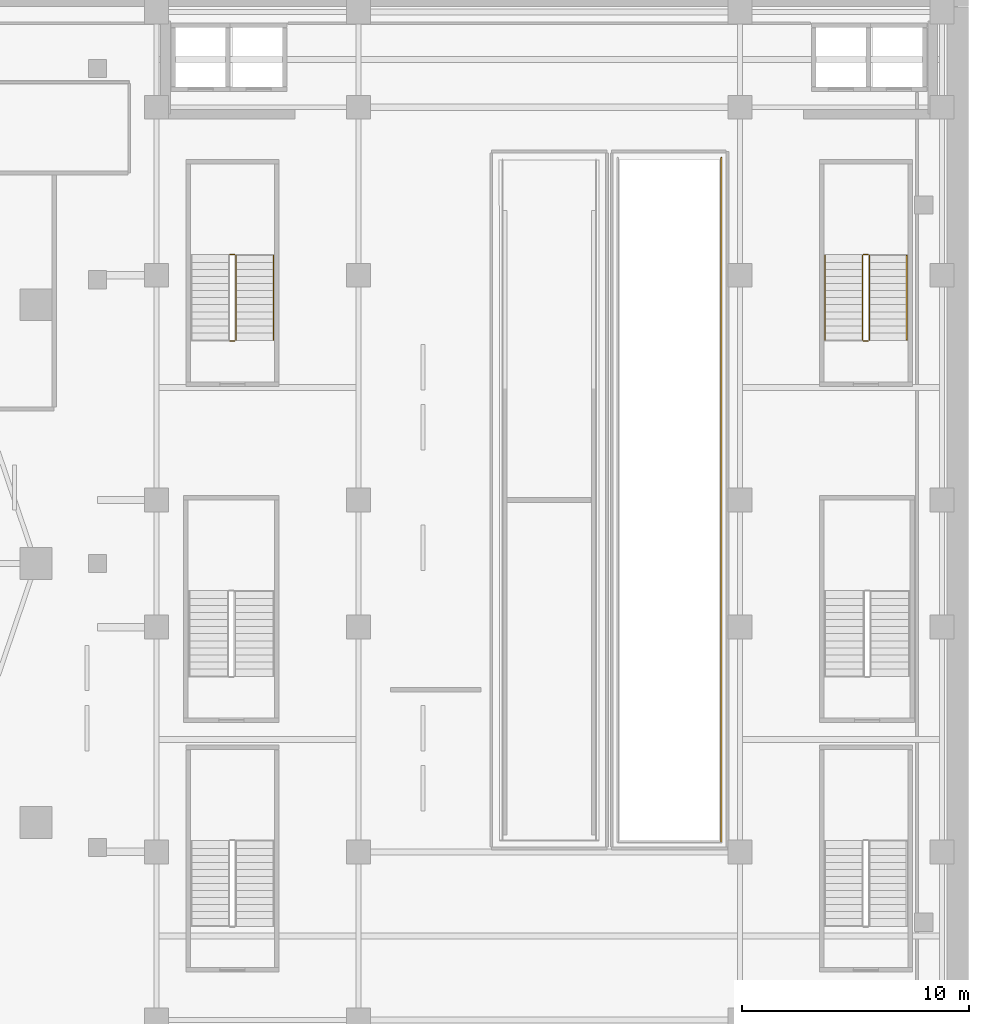
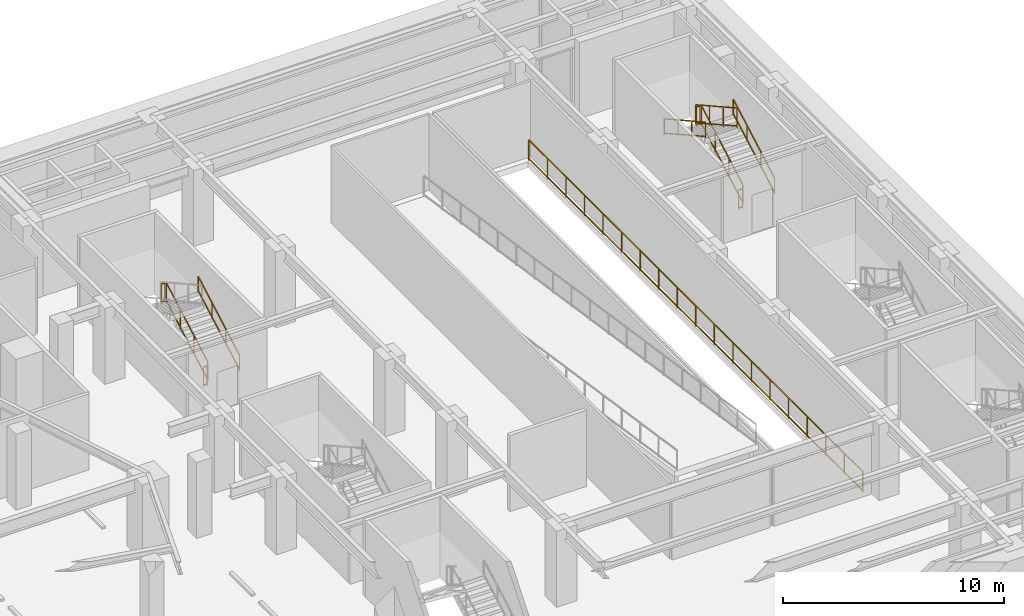
# One storey, part 16 of 16: 11 railings.
"""IFC4 building model written with IfcOpenShell, lengths in metres."""

from ifc_helpers import new_model, si_unit, direction, frame, origin, origin_2d, place, context, subcontext, project, spatial, rectangle, extrude, material, type_object, element, save


model = new_model("IFC4")

# Units and contexts
model_context = context("Model", 3, precision=1e-05, world=origin(), true_north=direction((0.0, 1.0)))
body_context = subcontext(model_context, "Body", "Model", "MODEL_VIEW")
ifc_project = project(units=[si_unit("LENGTHUNIT", "METRE"), si_unit("AREAUNIT", "SQUARE_METRE"), si_unit("VOLUMEUNIT", "CUBIC_METRE"), si_unit("PLANEANGLEUNIT", "RADIAN"), si_unit("MASSUNIT", "GRAM", prefix="KILO")], contexts=[model_context])

# Site, building, storey
site_placement = place(None, origin())
site = spatial("IfcSite", under=ifc_project, at=site_placement, CompositionType="ELEMENT")
building_placement = place(site_placement, origin())
building = spatial("IfcBuilding", under=site, at=building_placement, Name="Kolvaren Gate Tower and Convention Centre", CompositionType="ELEMENT")
storey_placement = place(building_placement, frame((0.0, 0.0, -9.0)))
storey = spatial("IfcBuildingStorey", under=building, at=storey_placement, Name="B2", CompositionType="ELEMENT", Elevation=-9.0)

# Railings
ifc_material = material(Name="Brushed Stainless Steel Grade 316L", Category="steel")
railing_type_1 = type_object("IfcRailingType", Name="ARCH-RL-GUARD-1150", PredefinedType="GUARDRAIL", material=ifc_material)
railing_1_placement = place(storey_placement, frame((66.199951171875, 36.85009765625, 0.173095703125)))
element("IfcRailing", 1, at=railing_1_placement, inside=storey, type_object=railing_type_1, Name="B2 ST-C1 stair guard 1", PredefinedType="GUARDRAIL", context=body_context, shape_type="SweptSolid", body=[
    extrude(rectangle(XDim=0.048095703125, YDim=0.048095703125, at=origin_2d()), frame((0.0, 0.0, 1.076171875), z_axis=(0.0, 0.873133609054, 0.487480974747), x_axis=(-1.0, 0.0, 0.0)), (0.0, 0.0, 1.0), 4.260498046875),
    extrude(rectangle(XDim=0.048095703125, YDim=0.048095703125, at=origin_2d()), frame((0.0, 0.0, 0.083984375), z_axis=(0.0, 0.873133609054, 0.487480974747), x_axis=(-1.0, 0.0, 0.0)), (0.0, 0.0, 1.0), 4.260498046875),
    extrude(rectangle(XDim=0.0419921875, YDim=0.0419921875, at=origin_2d()), origin(), (0.0, 0.0, 1.0), 1.050048828125),
    extrude(rectangle(XDim=0.0419921875, YDim=0.0419921875, at=origin_2d()), frame((0.0, 3.719970703125, 2.076904296875)), (0.0, 0.0, 1.0), 1.050048828125),
    extrude(rectangle(XDim=0.0419921875, YDim=0.0419921875, at=origin_2d()), frame((0.0, 1.239990234375, 0.6923828125)), (0.0, 0.0, 1.0), 1.050048828125),
    extrude(rectangle(XDim=0.0419921875, YDim=0.0419921875, at=origin_2d()), frame((0.0, 2.47998046875, 1.384521484375)), (0.0, 0.0, 1.0), 1.050048828125),
])
for number, where, name in (
    (2, (66.14990234375, 40.6201171875, 2.25), "B2 ST-C1 stair guard 2"),
    (3, (66.14990234375, 36.800048828125, 0.0), "B2 ST-C1 stair guard 4"),
):
    element("IfcRailing", number, at=place(storey_placement, frame(where)), inside=storey, type_object=railing_type_1, Name=name, PredefinedType="GUARDRAIL", context=body_context, shape_type="SweptSolid", body=[
        extrude(rectangle(XDim=0.048095703125, YDim=0.048095703125, at=origin_2d()), frame((0.0, 0.0, 1.076171875), z_axis=(-1.0, 0.0, 0.0), x_axis=(0.0, -1.0, 0.0)), (0.0, 0.0, 1.0), 0.199951171875),
        extrude(rectangle(XDim=0.048095703125, YDim=0.048095703125, at=origin_2d()), frame((0.0, 0.0, 0.083984375), z_axis=(-1.0, 0.0, 0.0), x_axis=(0.0, -1.0, 0.0)), (0.0, 0.0, 1.0), 0.199951171875),
        extrude(rectangle(XDim=0.0419921875, YDim=0.0419921875, at=origin_2d()), origin(), (0.0, 0.0, 1.0), 1.050048828125),
        extrude(rectangle(XDim=0.0419921875, YDim=0.0419921875, at=origin_2d()), frame((-0.199951171875, 0.0, 0.0)), (0.0, 0.0, 1.0), 1.050048828125),
    ])
railing_2_placement = place(storey_placement, frame((94.10009765625, 36.85009765625, 0.173095703125)))
element("IfcRailing", 4, at=railing_2_placement, inside=storey, type_object=railing_type_1, Name="B2 ST-C3 stair guard 1", PredefinedType="GUARDRAIL", context=body_context, shape_type="SweptSolid", body=[
    extrude(rectangle(XDim=0.048095703125, YDim=0.048095703125, at=origin_2d()), frame((0.0, 0.0, 1.076171875), z_axis=(0.0, 0.873133609054, 0.487480974747), x_axis=(-1.0, 0.0, 0.0)), (0.0, 0.0, 1.0), 4.260498046875),
    extrude(rectangle(XDim=0.048095703125, YDim=0.048095703125, at=origin_2d()), frame((0.0, 0.0, 0.083984375), z_axis=(0.0, 0.873133609054, 0.487480974747), x_axis=(-1.0, 0.0, 0.0)), (0.0, 0.0, 1.0), 4.260498046875),
    extrude(rectangle(XDim=0.0419921875, YDim=0.0419921875, at=origin_2d()), origin(), (0.0, 0.0, 1.0), 1.050048828125),
    extrude(rectangle(XDim=0.0419921875, YDim=0.0419921875, at=origin_2d()), frame((0.0, 3.719970703125, 2.076904296875)), (0.0, 0.0, 1.0), 1.050048828125),
    extrude(rectangle(XDim=0.0419921875, YDim=0.0419921875, at=origin_2d()), frame((0.0, 1.239990234375, 0.6923828125)), (0.0, 0.0, 1.0), 1.050048828125),
    extrude(rectangle(XDim=0.0419921875, YDim=0.0419921875, at=origin_2d()), frame((0.0, 2.47998046875, 1.384521484375)), (0.0, 0.0, 1.0), 1.050048828125),
])
railing_3_placement = place(storey_placement, frame((94.050048828125, 40.6201171875, 2.25)))
element("IfcRailing", 5, at=railing_3_placement, inside=storey, type_object=railing_type_1, Name="B2 ST-C3 stair guard 2", PredefinedType="GUARDRAIL", context=body_context, shape_type="SweptSolid", body=[
    extrude(rectangle(XDim=0.048095703125, YDim=0.048095703125, at=origin_2d()), frame((0.0, 0.0, 1.076171875), z_axis=(-1.0, 0.0, 0.0), x_axis=(0.0, -1.0, 0.0)), (0.0, 0.0, 1.0), 0.199951171875),
    extrude(rectangle(XDim=0.048095703125, YDim=0.048095703125, at=origin_2d()), frame((0.0, 0.0, 0.083984375), z_axis=(-1.0, 0.0, 0.0), x_axis=(0.0, -1.0, 0.0)), (0.0, 0.0, 1.0), 0.199951171875),
    extrude(rectangle(XDim=0.0419921875, YDim=0.0419921875, at=origin_2d()), origin(), (0.0, 0.0, 1.0), 1.050048828125),
    extrude(rectangle(XDim=0.0419921875, YDim=0.0419921875, at=origin_2d()), frame((-0.199951171875, 0.0, 0.0)), (0.0, 0.0, 1.0), 1.050048828125),
])
railing_4_placement = place(storey_placement, frame((93.800048828125, 40.570068359375, 2.423095703125)))
element("IfcRailing", 6, at=railing_4_placement, inside=storey, type_object=railing_type_1, Name="B2 ST-C3 stair guard 3", PredefinedType="GUARDRAIL", context=body_context, shape_type="SweptSolid", body=[
    extrude(rectangle(XDim=0.048095703125, YDim=0.048095703125, at=origin_2d()), frame((0.0, 0.0, 1.076171875), z_axis=(0.0, -0.873133609054, 0.487480974747), x_axis=(1.0, 0.0, 0.0)), (0.0, 0.0, 1.0), 4.260498046875),
    extrude(rectangle(XDim=0.048095703125, YDim=0.048095703125, at=origin_2d()), frame((0.0, 0.0, 0.083984375), z_axis=(0.0, -0.873133609054, 0.487480974747), x_axis=(1.0, 0.0, 0.0)), (0.0, 0.0, 1.0), 4.260498046875),
    extrude(rectangle(XDim=0.0419921875, YDim=0.0419921875, at=origin_2d()), origin(), (0.0, 0.0, 1.0), 1.050048828125),
    extrude(rectangle(XDim=0.0419921875, YDim=0.0419921875, at=origin_2d()), frame((0.0, -3.719970703125, 2.076904296875)), (0.0, 0.0, 1.0), 1.050048828125),
    extrude(rectangle(XDim=0.0419921875, YDim=0.0419921875, at=origin_2d()), frame((0.0, -1.239990234375, 0.6923828125)), (0.0, 0.0, 1.0), 1.050048828125),
    extrude(rectangle(XDim=0.0419921875, YDim=0.0419921875, at=origin_2d()), frame((0.0, -2.47998046875, 1.384521484375)), (0.0, 0.0, 1.0), 1.050048828125),
])
railing_5_placement = place(storey_placement, frame((94.050048828125, 36.800048828125, 0.0)))
element("IfcRailing", 7, at=railing_5_placement, inside=storey, type_object=railing_type_1, Name="B2 ST-C3 stair guard 4", PredefinedType="GUARDRAIL", context=body_context, shape_type="SweptSolid", body=[
    extrude(rectangle(XDim=0.048095703125, YDim=0.048095703125, at=origin_2d()), frame((0.0, 0.0, 1.076171875), z_axis=(-1.0, 0.0, 0.0), x_axis=(0.0, -1.0, 0.0)), (0.0, 0.0, 1.0), 0.199951171875),
    extrude(rectangle(XDim=0.048095703125, YDim=0.048095703125, at=origin_2d()), frame((0.0, 0.0, 0.083984375), z_axis=(-1.0, 0.0, 0.0), x_axis=(0.0, -1.0, 0.0)), (0.0, 0.0, 1.0), 0.199951171875),
    extrude(rectangle(XDim=0.0419921875, YDim=0.0419921875, at=origin_2d()), origin(), (0.0, 0.0, 1.0), 1.050048828125),
    extrude(rectangle(XDim=0.0419921875, YDim=0.0419921875, at=origin_2d()), frame((-0.199951171875, 0.0, 0.0)), (0.0, 0.0, 1.0), 1.050048828125),
])
railing_6_placement = place(storey_placement, frame((87.580078125, 14.719970703125, 0.0)))
element("IfcRailing", 8, at=railing_6_placement, inside=storey, type_object=railing_type_1, Name="Basement B3 to B2 Car Park Vehicle Ramp Slab R3 Floor Opening Perimeter Guardrail 2", PredefinedType="GUARDRAIL", context=body_context, shape_type="SweptSolid", body=[
    extrude(rectangle(XDim=0.048095703125, YDim=0.048095703125, at=origin_2d()), frame((0.0, 0.0, 1.1259765625), z_axis=(0.0, 1.0, 0.0), x_axis=(-1.0, 0.0, 0.0)), (0.0, 0.0, 1.0), 30.159912109375),
    extrude(rectangle(XDim=0.048095703125, YDim=0.048095703125, at=origin_2d()), frame((0.0, 0.0, 0.083984375), z_axis=(0.0, 1.0, 0.0), x_axis=(-1.0, 0.0, 0.0)), (0.0, 0.0, 1.0), 30.159912109375),
    extrude(rectangle(XDim=0.0419921875, YDim=0.0419921875, at=origin_2d()), origin(), (0.0, 0.0, 1.0), 1.099853515625),
    extrude(rectangle(XDim=0.0419921875, YDim=0.0419921875, at=origin_2d()), frame((0.0, 30.159912109375, 0.0)), (0.0, 0.0, 1.0), 1.099853515625),
    extrude(rectangle(XDim=0.0419921875, YDim=0.0419921875, at=origin_2d()), frame((0.0, 1.675537109375, 0.0)), (0.0, 0.0, 1.0), 1.099853515625),
    extrude(rectangle(XDim=0.0419921875, YDim=0.0419921875, at=origin_2d()), frame((0.0, 3.35107421875, 0.0)), (0.0, 0.0, 1.0), 1.099853515625),
    extrude(rectangle(XDim=0.0419921875, YDim=0.0419921875, at=origin_2d()), frame((0.0, 5.026611328125, 0.0)), (0.0, 0.0, 1.0), 1.099853515625),
    extrude(rectangle(XDim=0.0419921875, YDim=0.0419921875, at=origin_2d()), frame((0.0, 6.7021484375, 0.0)), (0.0, 0.0, 1.0), 1.099853515625),
    extrude(rectangle(XDim=0.0419921875, YDim=0.0419921875, at=origin_2d()), frame((0.0, 8.377685546875, 0.0)), (0.0, 0.0, 1.0), 1.099853515625),
    extrude(rectangle(XDim=0.0419921875, YDim=0.0419921875, at=origin_2d()), frame((0.0, 10.05322265625, 0.0)), (0.0, 0.0, 1.0), 1.099853515625),
    extrude(rectangle(XDim=0.0419921875, YDim=0.0419921875, at=origin_2d()), frame((0.0, 11.728759765625, 0.0)), (0.0, 0.0, 1.0), 1.099853515625),
    extrude(rectangle(XDim=0.0419921875, YDim=0.0419921875, at=origin_2d()), frame((0.0, 13.404296875, 0.0)), (0.0, 0.0, 1.0), 1.099853515625),
    extrude(rectangle(XDim=0.0419921875, YDim=0.0419921875, at=origin_2d()), frame((0.0, 15.080078125, 0.0)), (0.0, 0.0, 1.0), 1.099853515625),
    extrude(rectangle(XDim=0.0419921875, YDim=0.0419921875, at=origin_2d()), frame((0.0, 16.755615234375, 0.0)), (0.0, 0.0, 1.0), 1.099853515625),
    extrude(rectangle(XDim=0.0419921875, YDim=0.0419921875, at=origin_2d()), frame((0.0, 18.43115234375, 0.0)), (0.0, 0.0, 1.0), 1.099853515625),
    extrude(rectangle(XDim=0.0419921875, YDim=0.0419921875, at=origin_2d()), frame((0.0, 20.106689453125, 0.0)), (0.0, 0.0, 1.0), 1.099853515625),
    extrude(rectangle(XDim=0.0419921875, YDim=0.0419921875, at=origin_2d()), frame((0.0, 21.7822265625, 0.0)), (0.0, 0.0, 1.0), 1.099853515625),
    extrude(rectangle(XDim=0.0419921875, YDim=0.0419921875, at=origin_2d()), frame((0.0, 23.457763671875, 0.0)), (0.0, 0.0, 1.0), 1.099853515625),
    extrude(rectangle(XDim=0.0419921875, YDim=0.0419921875, at=origin_2d()), frame((0.0, 25.13330078125, 0.0)), (0.0, 0.0, 1.0), 1.099853515625),
    extrude(rectangle(XDim=0.0419921875, YDim=0.0419921875, at=origin_2d()), frame((0.0, 26.808837890625, 0.0)), (0.0, 0.0, 1.0), 1.099853515625),
    extrude(rectangle(XDim=0.0419921875, YDim=0.0419921875, at=origin_2d()), frame((0.0, 28.484375, 0.0)), (0.0, 0.0, 1.0), 1.099853515625),
])
railing_type_2 = type_object("IfcRailingType", Name="ARCH-RL-HANDRAIL-920", PredefinedType="HANDRAIL", material=ifc_material)
for number, where, name in (
    (9, (67.85009765625, 36.85009765625, 0.173095703125), "B2 ST-C1 stair handrail 1"),
    (10, (95.75, 36.85009765625, 0.173095703125), "B2 ST-C3 stair handrail 1"),
):
    element("IfcRailing", number, at=place(storey_placement, frame(where)), inside=storey, type_object=railing_type_2, Name=name, PredefinedType="HANDRAIL", context=body_context, shape_type="SweptSolid", body=[
        extrude(rectangle(XDim=0.048095703125, YDim=0.048095703125, at=origin_2d()), frame((0.0, 0.0, 0.8759765625), z_axis=(0.0, 0.873133609054, 0.487480974747), x_axis=(-1.0, 0.0, 0.0)), (0.0, 0.0, 1.0), 4.260498046875),
        extrude(rectangle(XDim=0.048095703125, YDim=0.048095703125, at=origin_2d()), frame((0.0, 0.0, 0.083984375), z_axis=(0.0, 0.873133609054, 0.487480974747), x_axis=(-1.0, 0.0, 0.0)), (0.0, 0.0, 1.0), 4.260498046875),
        extrude(rectangle(XDim=0.0419921875, YDim=0.0419921875, at=origin_2d()), origin(), (0.0, 0.0, 1.0), 0.849853515625),
        extrude(rectangle(XDim=0.0419921875, YDim=0.0419921875, at=origin_2d()), frame((0.0, 3.719970703125, 2.076904296875)), (0.0, 0.0, 1.0), 0.849853515625),
        extrude(rectangle(XDim=0.0419921875, YDim=0.0419921875, at=origin_2d()), frame((0.0, 1.239990234375, 0.6923828125)), (0.0, 0.0, 1.0), 0.849853515625),
        extrude(rectangle(XDim=0.0419921875, YDim=0.0419921875, at=origin_2d()), frame((0.0, 2.47998046875, 1.384521484375)), (0.0, 0.0, 1.0), 0.849853515625),
    ])
railing_7_placement = place(storey_placement, frame((92.14990234375, 40.570068359375, 2.423095703125)))
element("IfcRailing", 11, at=railing_7_placement, inside=storey, type_object=railing_type_2, Name="B2 ST-C3 stair handrail 2", PredefinedType="HANDRAIL", context=body_context, shape_type="SweptSolid", body=[
    extrude(rectangle(XDim=0.048095703125, YDim=0.048095703125, at=origin_2d()), frame((0.0, 0.0, 0.8759765625), z_axis=(0.0, -0.873133609054, 0.487480974747), x_axis=(1.0, 0.0, 0.0)), (0.0, 0.0, 1.0), 4.260498046875),
    extrude(rectangle(XDim=0.048095703125, YDim=0.048095703125, at=origin_2d()), frame((0.0, 0.0, 0.083984375), z_axis=(0.0, -0.873133609054, 0.487480974747), x_axis=(1.0, 0.0, 0.0)), (0.0, 0.0, 1.0), 4.260498046875),
    extrude(rectangle(XDim=0.0419921875, YDim=0.0419921875, at=origin_2d()), origin(), (0.0, 0.0, 1.0), 0.849853515625),
    extrude(rectangle(XDim=0.0419921875, YDim=0.0419921875, at=origin_2d()), frame((0.0, -3.719970703125, 2.076904296875)), (0.0, 0.0, 1.0), 0.849853515625),
    extrude(rectangle(XDim=0.0419921875, YDim=0.0419921875, at=origin_2d()), frame((0.0, -1.239990234375, 0.6923828125)), (0.0, 0.0, 1.0), 0.849853515625),
    extrude(rectangle(XDim=0.0419921875, YDim=0.0419921875, at=origin_2d()), frame((0.0, -2.47998046875, 1.384521484375)), (0.0, 0.0, 1.0), 0.849853515625),
])

save(model, "model.ifc")
